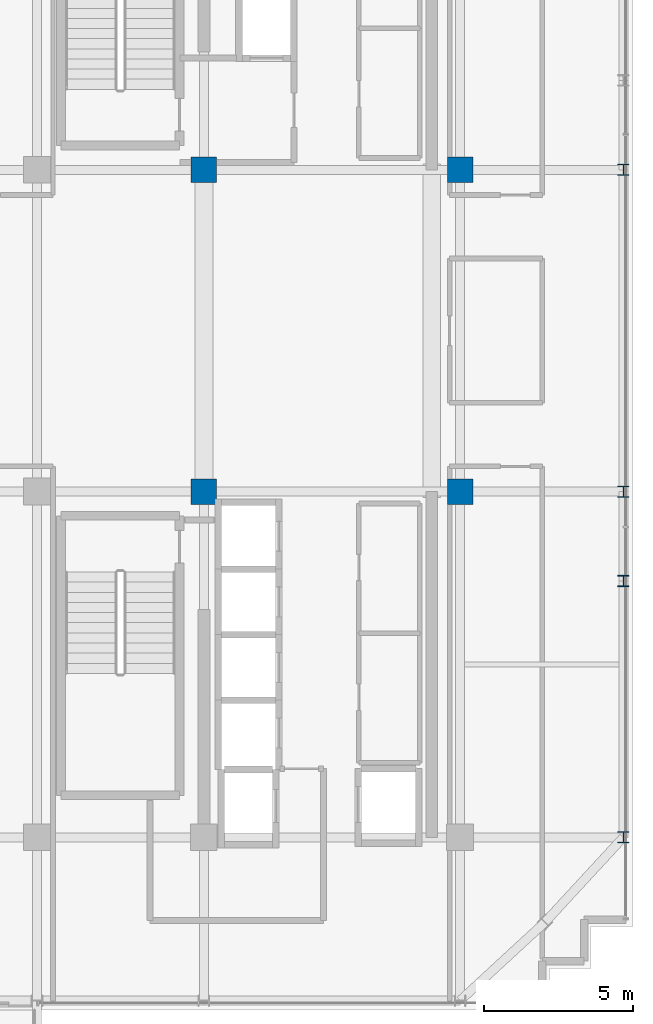
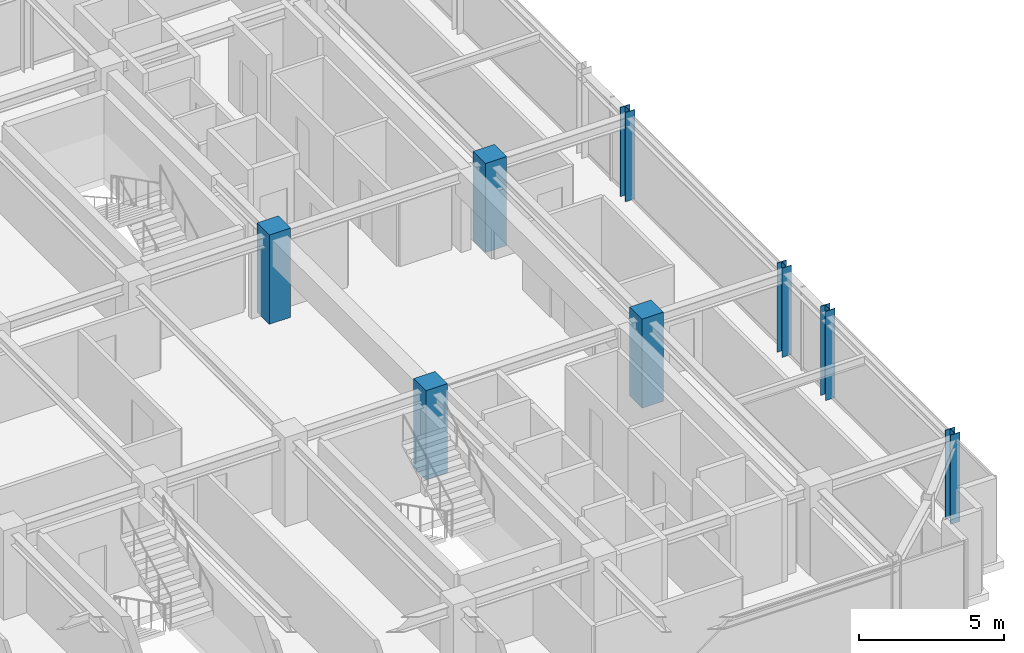
# One storey, part 2 of 31: 8 columns.
"""IFC4 building model written with IfcOpenShell, lengths in metres."""

import ifcopenshell
import ifcopenshell.guid

model = None  # the IFC model being written
_history = None  # IfcOwnerHistory: only IFC2X3 demands one
_inside = {}  # id of a spatial element -> (the spatial element, [elements in it])
_under = {}  # id of a project, library or spatial element -> (it, [spatial elements below it])
_declared = {}  # id of a project -> (the project, [libraries it declares])
_typed = {}  # id of a type object -> (the type object, [elements of that type])
_made_of = {}  # id of a material, layer set ... -> (it, [elements and type objects made of it])


def new_model(schema):
    """Start an empty IFC model of exactly this schema.

    Asked for "IFC4X3", IfcOpenShell would pick the latest addendum, in which some entities
    have other attributes; the version numbers below select the first issue.
    IFC2X3 requires an IfcOwnerHistory on every rooted entity: one is made here for all.
    """
    global model, _history
    if schema == "IFC4X3":
        model = ifcopenshell.file(schema_version=(4, 3, 0, 0))
    else:
        model = ifcopenshell.file(schema=schema)
    _inside.clear()
    _under.clear()
    _declared.clear()
    _typed.clear()
    _made_of.clear()
    _history = None
    if model.schema == "IFC2X3":
        org = make("IfcOrganization", Name="unknown")
        user = make(
            "IfcPersonAndOrganization",
            ThePerson=make("IfcPerson", FamilyName="unknown"),
            TheOrganization=org,
        )
        app = make(
            "IfcApplication",
            ApplicationDeveloper=org,
            Version="unknown",
            ApplicationFullName="unknown",
            ApplicationIdentifier="unknown",
        )
        _history = make(
            "IfcOwnerHistory",
            OwningUser=user,
            OwningApplication=app,
            ChangeAction="ADDED",
            CreationDate=0,
        )
    return model


def make(cls, **values):
    """One entity of the class cls with the attributes given. An attribute that is None is left unset."""
    return model.create_entity(
        cls, **{name: value for name, value in values.items() if value is not None}
    )


def rooted(cls, **values):
    """An entity with a GlobalId (a new one), such as an element, a storey or a relation."""
    return make(cls, GlobalId=ifcopenshell.guid.new(), OwnerHistory=_history, **values)


def si_unit(unit_type, name, prefix=None):
    """IfcSIUnit, for example si_unit("LENGTHUNIT", "METRE", prefix="MILLI")."""
    return make("IfcSIUnit", UnitType=unit_type, Prefix=prefix, Name=name)


def assignment(units):
    """IfcUnitAssignment: the units of a project."""
    return None if units is None else make("IfcUnitAssignment", Units=units)


def point(xyz):
    """IfcCartesianPoint."""
    return None if xyz is None else make("IfcCartesianPoint", Coordinates=xyz)


def direction(xyz):
    """IfcDirection."""
    return None if xyz is None else make("IfcDirection", DirectionRatios=xyz)


def frame(location, z_axis=None, x_axis=None):
    """IfcAxis2Placement3D, a coordinate frame: its origin and axes. An axis left out is left unset."""
    return make(
        "IfcAxis2Placement3D",
        Location=point(location),
        Axis=direction(z_axis),
        RefDirection=direction(x_axis),
    )


def frame_2d(location, x_axis=None):
    """IfcAxis2Placement2D, a coordinate frame in the plane: its origin and x axis."""
    return make(
        "IfcAxis2Placement2D", Location=point(location), RefDirection=direction(x_axis)
    )


def origin():
    """The frame at (0, 0, 0) with its axes left unset."""
    return frame((0.0, 0.0, 0.0))


def origin_2d():
    """The frame at (0, 0) in the plane with its x axis left unset."""
    return frame_2d((0.0, 0.0))


def place(relative_to, where):
    """IfcLocalPlacement: puts the frame where relative to a parent placement (None: the world)."""
    return make(
        "IfcLocalPlacement", PlacementRelTo=relative_to, RelativePlacement=where
    )


def context(
    kind, dimensions, precision=None, world=None, true_north=None, identifier=None
):
    """IfcGeometricRepresentationContext, for example the 3D "Model" context."""
    return make(
        "IfcGeometricRepresentationContext",
        ContextIdentifier=identifier,
        ContextType=kind,
        CoordinateSpaceDimension=dimensions,
        Precision=precision,
        WorldCoordinateSystem=world,
        TrueNorth=true_north,
    )


def subcontext(parent, identifier, kind, view, scale=None):
    """IfcGeometricRepresentationSubContext, for example "Body" below "Model"."""
    return make(
        "IfcGeometricRepresentationSubContext",
        ContextIdentifier=identifier,
        ContextType=kind,
        ParentContext=parent,
        TargetScale=scale,
        TargetView=view,
    )


def project(units=None, contexts=None):
    """IfcProject with its units and contexts."""
    return rooted(
        "IfcProject",
        Name="project",
        RepresentationContexts=contexts,
        UnitsInContext=assignment(units),
    )


def spatial(cls, under=None, at=None, **own):
    """A site, building, storey or space (cls), placed at a placement, below another one or the project."""
    s = rooted(cls, ObjectPlacement=at, **own)
    if under is not None:
        _under.setdefault(under.id(), (under, []))[1].append(s)
    return s


def profile(cls, at=None, kind="AREA", **sizes):
    """A parametric profile (cls). Its sizes go by their IFC names, for example OverallWidth=200.0."""
    return make(cls, ProfileType=kind, Position=at, **sizes)


def rectangle(**sizes):
    """IfcRectangleProfileDef."""
    return profile("IfcRectangleProfileDef", **sizes)


def i_section(**sizes):
    """IfcIShapeProfileDef."""
    return profile("IfcIShapeProfileDef", **sizes)


def extrude(swept, where, along, depth):
    """IfcExtrudedAreaSolid: the profile swept, set in the frame where, extruded along a direction by depth."""
    return make(
        "IfcExtrudedAreaSolid",
        SweptArea=swept,
        Position=where,
        ExtrudedDirection=direction(along),
        Depth=depth,
    )


def shape(context_of_items, identifier, shape_type, items):
    """IfcShapeRepresentation: the items that make up one representation, for example the "Body"."""
    return make(
        "IfcShapeRepresentation",
        ContextOfItems=context_of_items,
        RepresentationIdentifier=identifier,
        RepresentationType=shape_type,
        Items=items,
    )


def source(mapping_origin, context_of_items, identifier, shape_type, items):
    """IfcRepresentationMap: a shape defined once, which mapped items show again and again."""
    return make(
        "IfcRepresentationMap",
        MappingOrigin=mapping_origin,
        MappedRepresentation=shape(context_of_items, identifier, shape_type, items),
    )


def transform(
    local_origin,
    x_axis=None,
    y_axis=None,
    z_axis=None,
    scale=None,
    scale2=None,
    scale3=None,
    uniform=True,
):
    """IfcCartesianTransformationOperator3D, or its non-uniform kind. x_axis, y_axis, z_axis: its Axis1, 2, 3."""
    if uniform:
        return make(
            "IfcCartesianTransformationOperator3D",
            Axis1=direction(x_axis),
            Axis2=direction(y_axis),
            LocalOrigin=point(local_origin),
            Scale=scale,
            Axis3=direction(z_axis),
        )
    return make(
        "IfcCartesianTransformationOperator3DnonUniform",
        Axis1=direction(x_axis),
        Axis2=direction(y_axis),
        LocalOrigin=point(local_origin),
        Scale=scale,
        Axis3=direction(z_axis),
        Scale2=scale2,
        Scale3=scale3,
    )


def mapped(mapping_source, mapping_target):
    """IfcMappedItem: shows the shape of a source again, moved by a transform."""
    return make(
        "IfcMappedItem", MappingSource=mapping_source, MappingTarget=mapping_target
    )


def material(Name=None, Category=None):
    """IfcMaterial."""
    return make("IfcMaterial", Name=Name, Category=Category)


def material_profile(
    of_material, cross_section, Name=None, Category=None, Priority=None
):
    """IfcMaterialProfile: a cross section and its material."""
    return make(
        "IfcMaterialProfile",
        Name=Name,
        Material=of_material,
        Profile=cross_section,
        Priority=Priority,
        Category=Category,
    )


def profile_set(profiles, Name=None, composite=None):
    """IfcMaterialProfileSet."""
    return make(
        "IfcMaterialProfileSet",
        Name=Name,
        MaterialProfiles=profiles,
        CompositeProfile=composite,
    )


def made_of(thing, what):
    """Note that an element or type object is made of a material, layer set ...; save() writes the relation."""
    if what is not None:
        _made_of.setdefault(what.id(), (what, []))[1].append(thing)
    return thing


def type_object(cls, material=None, **own):
    """A type object (cls), such as IfcWallType, which elements share."""
    return made_of(rooted(cls, **own), material)


def element(
    cls,
    number,
    at=None,
    inside=None,
    cuts=None,
    type_object=None,
    material=None,
    context=None,
    identifier="Body",
    shape_type=None,
    held_by="IfcProductDefinitionShape",
    body=None,
    shapes=None,
    **own,
):
    """One element of the class cls, such as IfcWall. Its Tag is "e" and its number.

    at: its placement. inside: the storey or other place that contains it. cuts: it is an
    opening in that element (IfcRelVoidsElement). A single representation is given by context,
    identifier, shape_type and body (its items); several are given by shapes. held_by: the class
    of the entity that holds the representations. save() writes the other relations.
    """
    e = rooted(cls, Tag="e%d" % number, ObjectPlacement=at, **own)
    if body is not None:
        shapes = [shape(context, identifier, shape_type, body)]
    if shapes is not None:
        e.Representation = make(held_by, Representations=shapes)
    if inside is not None:
        _inside.setdefault(inside.id(), (inside, []))[1].append(e)
    if cuts is not None:
        rooted(
            "IfcRelVoidsElement", RelatingBuildingElement=cuts, RelatedOpeningElement=e
        )
    if type_object is not None:
        _typed.setdefault(type_object.id(), (type_object, []))[1].append(e)
    return made_of(e, material)


def aggregate(whole, parts):
    """IfcRelAggregates: a whole, such as a stair, and the parts it consists of."""
    return rooted("IfcRelAggregates", RelatingObject=whole, RelatedObjects=parts)


def save(model, path):
    """Write the relations noted so far, then the file.

    IfcRelAggregates (storeys below a building ...), IfcRelContainedInSpatialStructure (elements
    in a storey), IfcRelDefinesByType, IfcRelAssociatesMaterial and IfcRelDeclares: one each for
    every whole, place, type object, material and project.
    """
    for whole, parts in _under.values():
        aggregate(whole, parts)
    for where, things in _inside.values():
        rooted(
            "IfcRelContainedInSpatialStructure",
            RelatedElements=things,
            RelatingStructure=where,
        )
    for kind, things in _typed.values():
        rooted("IfcRelDefinesByType", RelatedObjects=things, RelatingType=kind)
    for what, things in _made_of.values():
        rooted("IfcRelAssociatesMaterial", RelatedObjects=things, RelatingMaterial=what)
    for by, libraries in _declared.values():
        rooted("IfcRelDeclares", RelatingContext=by, RelatedDefinitions=libraries)
    model.write(path)


model = new_model("IFC4")

# Units and contexts
model_context = context("Model", 3, precision=1e-05, world=origin(), true_north=direction((0.0, 1.0)))
body_context = subcontext(model_context, "Body", "Model", "MODEL_VIEW")
ifc_project = project(units=[si_unit("LENGTHUNIT", "METRE"), si_unit("AREAUNIT", "SQUARE_METRE"), si_unit("VOLUMEUNIT", "CUBIC_METRE"), si_unit("PLANEANGLEUNIT", "RADIAN"), si_unit("MASSUNIT", "GRAM", prefix="KILO")], contexts=[model_context])

# Site, building, storey
site_placement = place(None, origin())
site = spatial("IfcSite", under=ifc_project, at=site_placement, CompositionType="ELEMENT")
building_placement = place(site_placement, origin())
building = spatial("IfcBuilding", under=site, at=building_placement, Name="Nahalor Promenade Grand Hotel", CompositionType="ELEMENT")
storey_placement = place(building_placement, frame((0.0, 0.0, 323.35009765625)))
storey = spatial("IfcBuildingStorey", under=building, at=storey_placement, Name="L83", CompositionType="ELEMENT", Elevation=323.35009765625)

# Columns
ifc_material_1 = material(Name="Concrete B-70 (C60/75)", Category="concrete")
ifc_material_profile_1 = material_profile(ifc_material_1, rectangle(XDim=0.85, YDim=0.85, at=origin_2d()), Name="RC 850x850")
ifc_profile_set_1 = profile_set([ifc_material_profile_1], Name="Concrete B-70 (C60/75)")
column_type_1 = type_object("IfcColumnType", Name="Col-Pilaster-850", PredefinedType="PILASTER", material=ifc_profile_set_1)
shared_shape_1 = source(origin(), body_context, "Body", "SweptSolid", [
    extrude(rectangle(XDim=0.85, YDim=0.85, at=origin_2d()), origin(), (0.0, 0.0, 1.0), 3.7548828125),
])
for number, where, z_axis, x_axis, name in (
    (1, (8.39990234375, -5.39990234375, 0.0), (0.0, 0.0, 1.0), (1.0, 0.0, 0.0), "COL-L83-I41"),
    (2, (8.39990234375, 5.39990234375, 0.0), (0.0, 0.0, 1.0), (1.0, 0.0, 0.0), "COL-L83-I42"),
    (3, (17.0, -5.39990234375, 0.0), (0.0, 0.0, 1.0), (1.0, 0.0, 0.0), "COL-L83-I51"),
    (4, (17.0, 5.39990234375, 0.0), (0.0, 0.0, 1.0), (1.0, 0.0, 0.0), "COL-L83-I52"),
):
    element("IfcColumn", number, at=place(storey_placement, frame(where, z_axis=z_axis, x_axis=x_axis)), inside=storey, type_object=column_type_1, Name=name, PredefinedType="PILASTER", context=body_context, shape_type="MappedRepresentation", body=[
        mapped(shared_shape_1, transform((0.0, 0.0, 0.0), scale=1.0)),
    ])
ifc_material_2 = material(Name="Steel S355JR", Category="steel")
ifc_material_profile_2 = material_profile(ifc_material_2, i_section(OverallWidth=0.374, OverallDepth=0.374, WebThickness=0.0144, FlangeThickness=0.0229, at=origin_2d()), Name="HD 360x262")
ifc_profile_set_2 = profile_set([ifc_material_profile_2], Name="Steel S355JR")
column_type_2 = type_object("IfcColumnType", Name="Col-Steel-HD262", PredefinedType="COLUMN", material=ifc_profile_set_2)
shared_shape_2 = source(origin(), body_context, "Body", "SweptSolid", [
    extrude(i_section(OverallWidth=0.374, OverallDepth=0.374, WebThickness=0.0144, FlangeThickness=0.0229, at=origin_2d()), origin(), (0.0, 0.0, 1.0), 3.7548828125),
])
for number, where, z_axis, x_axis, name in (
    (5, (22.47998046875, -17.0, 0.0), (0.0, 0.0, 1.0), (1.0, 0.0, 0.0), "COL-L83-PW-E0"),
    (6, (22.47998046875, -8.39990234375, 0.0), (0.0, 0.0, 1.0), (1.0, 0.0, 0.0), "COL-L83-PW-E1"),
    (7, (22.47998046875, -5.39990234375, 0.0), (0.0, 0.0, 1.0), (1.0, 0.0, 0.0), "COL-L83-PW-E2"),
    (8, (22.47998046875, 5.39990234375, 0.0), (0.0, 0.0, 1.0), (1.0, 0.0, 0.0), "COL-L83-PW-E3"),
):
    element("IfcColumn", number, at=place(storey_placement, frame(where, z_axis=z_axis, x_axis=x_axis)), inside=storey, type_object=column_type_2, Name=name, PredefinedType="COLUMN", context=body_context, shape_type="MappedRepresentation", body=[
        mapped(shared_shape_2, transform((0.0, 0.0, 0.0), scale=1.0)),
    ])

save(model, "model.ifc")
